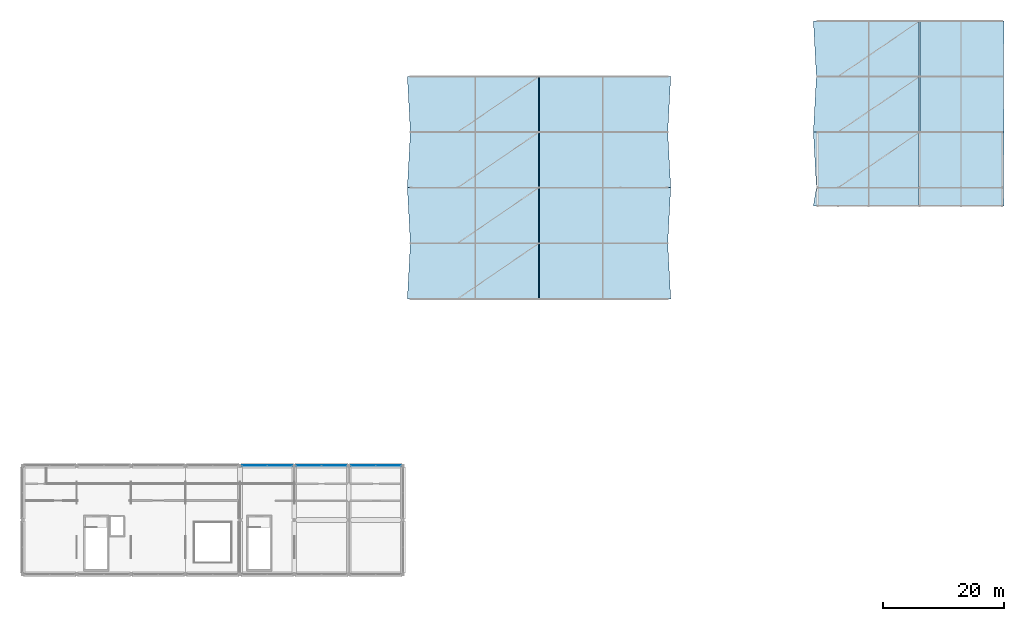
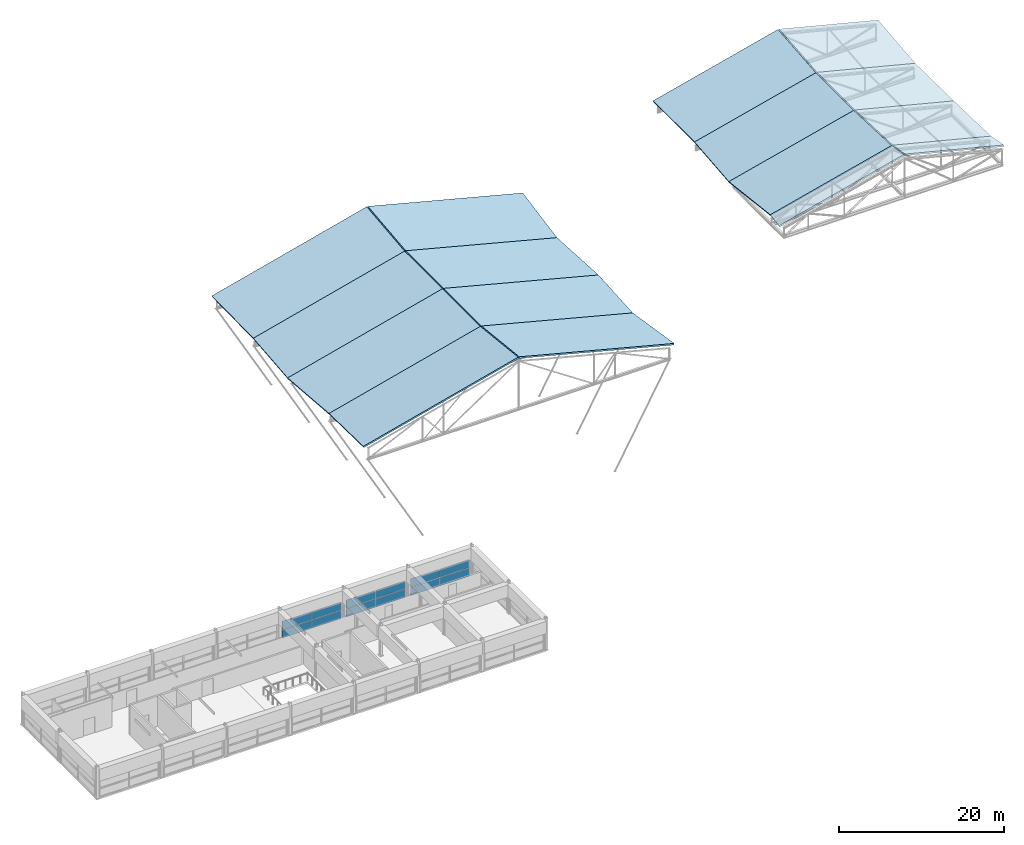
# One storey, part 46 of 56: 16 slabs, 12 plates, 3 elements without a shape of their own.
"""IFC4 building model written with IfcOpenShell, lengths in metres."""

import ifcopenshell
import ifcopenshell.guid

model = None  # the IFC model being written
_history = None  # IfcOwnerHistory: only IFC2X3 demands one
_inside = {}  # id of a spatial element -> (the spatial element, [elements in it])
_under = {}  # id of a project, library or spatial element -> (it, [spatial elements below it])
_declared = {}  # id of a project -> (the project, [libraries it declares])
_typed = {}  # id of a type object -> (the type object, [elements of that type])
_made_of = {}  # id of a material, layer set ... -> (it, [elements and type objects made of it])


def new_model(schema):
    """Start an empty IFC model of exactly this schema.

    Asked for "IFC4X3", IfcOpenShell would pick the latest addendum, in which some entities
    have other attributes; the version numbers below select the first issue.
    IFC2X3 requires an IfcOwnerHistory on every rooted entity: one is made here for all.
    """
    global model, _history
    if schema == "IFC4X3":
        model = ifcopenshell.file(schema_version=(4, 3, 0, 0))
    else:
        model = ifcopenshell.file(schema=schema)
    _inside.clear()
    _under.clear()
    _declared.clear()
    _typed.clear()
    _made_of.clear()
    _history = None
    if model.schema == "IFC2X3":
        org = make("IfcOrganization", Name="unknown")
        user = make(
            "IfcPersonAndOrganization",
            ThePerson=make("IfcPerson", FamilyName="unknown"),
            TheOrganization=org,
        )
        app = make(
            "IfcApplication",
            ApplicationDeveloper=org,
            Version="unknown",
            ApplicationFullName="unknown",
            ApplicationIdentifier="unknown",
        )
        _history = make(
            "IfcOwnerHistory",
            OwningUser=user,
            OwningApplication=app,
            ChangeAction="ADDED",
            CreationDate=0,
        )
    return model


def make(cls, **values):
    """One entity of the class cls with the attributes given. An attribute that is None is left unset."""
    return model.create_entity(
        cls, **{name: value for name, value in values.items() if value is not None}
    )


def rooted(cls, **values):
    """An entity with a GlobalId (a new one), such as an element, a storey or a relation."""
    return make(cls, GlobalId=ifcopenshell.guid.new(), OwnerHistory=_history, **values)


def si_unit(unit_type, name, prefix=None):
    """IfcSIUnit, for example si_unit("LENGTHUNIT", "METRE", prefix="MILLI")."""
    return make("IfcSIUnit", UnitType=unit_type, Prefix=prefix, Name=name)


def assignment(units):
    """IfcUnitAssignment: the units of a project."""
    return None if units is None else make("IfcUnitAssignment", Units=units)


def point(xyz):
    """IfcCartesianPoint."""
    return None if xyz is None else make("IfcCartesianPoint", Coordinates=xyz)


def direction(xyz):
    """IfcDirection."""
    return None if xyz is None else make("IfcDirection", DirectionRatios=xyz)


def frame(location, z_axis=None, x_axis=None):
    """IfcAxis2Placement3D, a coordinate frame: its origin and axes. An axis left out is left unset."""
    return make(
        "IfcAxis2Placement3D",
        Location=point(location),
        Axis=direction(z_axis),
        RefDirection=direction(x_axis),
    )


def frame_2d(location, x_axis=None):
    """IfcAxis2Placement2D, a coordinate frame in the plane: its origin and x axis."""
    return make(
        "IfcAxis2Placement2D", Location=point(location), RefDirection=direction(x_axis)
    )


def origin():
    """The frame at (0, 0, 0) with its axes left unset."""
    return frame((0.0, 0.0, 0.0))


def origin_2d():
    """The frame at (0, 0) in the plane with its x axis left unset."""
    return frame_2d((0.0, 0.0))


def place(relative_to, where):
    """IfcLocalPlacement: puts the frame where relative to a parent placement (None: the world)."""
    return make(
        "IfcLocalPlacement", PlacementRelTo=relative_to, RelativePlacement=where
    )


def context(
    kind, dimensions, precision=None, world=None, true_north=None, identifier=None
):
    """IfcGeometricRepresentationContext, for example the 3D "Model" context."""
    return make(
        "IfcGeometricRepresentationContext",
        ContextIdentifier=identifier,
        ContextType=kind,
        CoordinateSpaceDimension=dimensions,
        Precision=precision,
        WorldCoordinateSystem=world,
        TrueNorth=true_north,
    )


def subcontext(parent, identifier, kind, view, scale=None):
    """IfcGeometricRepresentationSubContext, for example "Body" below "Model"."""
    return make(
        "IfcGeometricRepresentationSubContext",
        ContextIdentifier=identifier,
        ContextType=kind,
        ParentContext=parent,
        TargetScale=scale,
        TargetView=view,
    )


def project(units=None, contexts=None):
    """IfcProject with its units and contexts."""
    return rooted(
        "IfcProject",
        Name="project",
        RepresentationContexts=contexts,
        UnitsInContext=assignment(units),
    )


def spatial(cls, under=None, at=None, **own):
    """A site, building, storey or space (cls), placed at a placement, below another one or the project."""
    s = rooted(cls, ObjectPlacement=at, **own)
    if under is not None:
        _under.setdefault(under.id(), (under, []))[1].append(s)
    return s


def polyline(points):
    """IfcPolyline through the points."""
    return make("IfcPolyline", Points=[point(p) for p in points])


def profile(cls, at=None, kind="AREA", **sizes):
    """A parametric profile (cls). Its sizes go by their IFC names, for example OverallWidth=200.0."""
    return make(cls, ProfileType=kind, Position=at, **sizes)


def rectangle(**sizes):
    """IfcRectangleProfileDef."""
    return profile("IfcRectangleProfileDef", **sizes)


def outline(outer, holes=None, kind="AREA"):
    """IfcArbitraryClosedProfileDef: a profile drawn as a closed curve; with holes, ...WithVoids."""
    if holes is None:
        return make("IfcArbitraryClosedProfileDef", ProfileType=kind, OuterCurve=outer)
    return make(
        "IfcArbitraryProfileDefWithVoids",
        ProfileType=kind,
        OuterCurve=outer,
        InnerCurves=holes,
    )


def extrude(swept, where, along, depth):
    """IfcExtrudedAreaSolid: the profile swept, set in the frame where, extruded along a direction by depth."""
    return make(
        "IfcExtrudedAreaSolid",
        SweptArea=swept,
        Position=where,
        ExtrudedDirection=direction(along),
        Depth=depth,
    )


def shape(context_of_items, identifier, shape_type, items):
    """IfcShapeRepresentation: the items that make up one representation, for example the "Body"."""
    return make(
        "IfcShapeRepresentation",
        ContextOfItems=context_of_items,
        RepresentationIdentifier=identifier,
        RepresentationType=shape_type,
        Items=items,
    )


def material(Name=None, Category=None):
    """IfcMaterial."""
    return make("IfcMaterial", Name=Name, Category=Category)


def layer(
    of_material, thickness, ventilated=None, Name=None, Category=None, Priority=None
):
    """IfcMaterialLayer: one layer of a wall or slab, of a material (None: an air gap)."""
    return make(
        "IfcMaterialLayer",
        Material=of_material,
        LayerThickness=thickness,
        IsVentilated=ventilated,
        Name=Name,
        Category=Category,
        Priority=Priority,
    )


def layer_set(layers, Name=None):
    """IfcMaterialLayerSet."""
    return make("IfcMaterialLayerSet", MaterialLayers=layers, LayerSetName=Name)


def made_of(thing, what):
    """Note that an element or type object is made of a material, layer set ...; save() writes the relation."""
    if what is not None:
        _made_of.setdefault(what.id(), (what, []))[1].append(thing)
    return thing


def type_object(cls, material=None, **own):
    """A type object (cls), such as IfcWallType, which elements share."""
    return made_of(rooted(cls, **own), material)


def element(
    cls,
    number,
    at=None,
    inside=None,
    cuts=None,
    type_object=None,
    material=None,
    context=None,
    identifier="Body",
    shape_type=None,
    held_by="IfcProductDefinitionShape",
    body=None,
    shapes=None,
    **own,
):
    """One element of the class cls, such as IfcWall. Its Tag is "e" and its number.

    at: its placement. inside: the storey or other place that contains it. cuts: it is an
    opening in that element (IfcRelVoidsElement). A single representation is given by context,
    identifier, shape_type and body (its items); several are given by shapes. held_by: the class
    of the entity that holds the representations. save() writes the other relations.
    """
    e = rooted(cls, Tag="e%d" % number, ObjectPlacement=at, **own)
    if body is not None:
        shapes = [shape(context, identifier, shape_type, body)]
    if shapes is not None:
        e.Representation = make(held_by, Representations=shapes)
    if inside is not None:
        _inside.setdefault(inside.id(), (inside, []))[1].append(e)
    if cuts is not None:
        rooted(
            "IfcRelVoidsElement", RelatingBuildingElement=cuts, RelatedOpeningElement=e
        )
    if type_object is not None:
        _typed.setdefault(type_object.id(), (type_object, []))[1].append(e)
    return made_of(e, material)


def aggregate(whole, parts):
    """IfcRelAggregates: a whole, such as a stair, and the parts it consists of."""
    return rooted("IfcRelAggregates", RelatingObject=whole, RelatedObjects=parts)


def save(model, path):
    """Write the relations noted so far, then the file.

    IfcRelAggregates (storeys below a building ...), IfcRelContainedInSpatialStructure (elements
    in a storey), IfcRelDefinesByType, IfcRelAssociatesMaterial and IfcRelDeclares: one each for
    every whole, place, type object, material and project.
    """
    for whole, parts in _under.values():
        aggregate(whole, parts)
    for where, things in _inside.values():
        rooted(
            "IfcRelContainedInSpatialStructure",
            RelatedElements=things,
            RelatingStructure=where,
        )
    for kind, things in _typed.values():
        rooted("IfcRelDefinesByType", RelatedObjects=things, RelatingType=kind)
    for what, things in _made_of.values():
        rooted("IfcRelAssociatesMaterial", RelatedObjects=things, RelatingMaterial=what)
    for by, libraries in _declared.values():
        rooted("IfcRelDeclares", RelatingContext=by, RelatedDefinitions=libraries)
    model.write(path)


model = new_model("IFC4")

# Units and contexts
model_context = context("Model", 3, precision=1e-05, world=origin(), true_north=direction((0.0, 1.0)))
body_context = subcontext(model_context, "Body", "Model", "MODEL_VIEW")
ifc_project = project(units=[si_unit("LENGTHUNIT", "METRE"), si_unit("AREAUNIT", "SQUARE_METRE"), si_unit("VOLUMEUNIT", "CUBIC_METRE"), si_unit("PLANEANGLEUNIT", "RADIAN"), si_unit("MASSUNIT", "GRAM", prefix="KILO")], contexts=[model_context])

# Site, building, storey
site_placement = place(None, origin())
site = spatial("IfcSite", under=ifc_project, at=site_placement, CompositionType="ELEMENT")
building_placement = place(site_placement, origin())
building = spatial("IfcBuilding", under=site, at=building_placement, Name="Bozkorgan Art Gallery", CompositionType="ELEMENT")
storey_placement = place(building_placement, frame((0.0, 0.0, 24.0)))
storey = spatial("IfcBuildingStorey", under=building, at=storey_placement, Name="L05", CompositionType="ELEMENT", Elevation=24.0)

# Curtain wall, plates
ifc_material_1 = material(Name="Anodised Bronze Aluminium", Category="aluminium")
curtain_wall_type = type_object("IfcCurtainWallType", Name="CW-CW-23", PredefinedType="NOTDEFINED", material=ifc_material_1)
curtain_wall_1_placement = place(storey_placement, origin())
curtain_wall_1 = element("IfcCurtainWall", 1, at=curtain_wall_1_placement, inside=storey, type_object=curtain_wall_type, Name="L05 unitised curtain wall CW-V1-L05-1N-10", PredefinedType="NOTDEFINED")
ifc_material_2 = material(Name="Triple Low-E Laminated Glass", Category="glass")
ifc_layer_1 = layer(ifc_material_2, 0.0439453125, Name="Triple Low-E Laminated Glass")
ifc_layer_set_1 = layer_set([ifc_layer_1], Name="Triple Low-E Laminated Glass")
plate_type = type_object("IfcPlateType", Name="CWP-GLZ", PredefinedType="CURTAIN_PANEL", material=ifc_layer_set_1)
plate_1_placement = place(storey_placement, frame((40.423828125, 20.0, 0.10009765625), z_axis=(0.0, 0.0, 1.0), x_axis=(1.0, 0.0, 0.0)))
plate_1 = element("IfcPlate", 2, at=plate_1_placement, type_object=plate_type, Name="CW-23 panel 1.1", PredefinedType="CURTAIN_PANEL", context=body_context, shape_type="SweptSolid", body=[
    extrude(rectangle(XDim=4.08740234375, YDim=0.0439453125, at=origin_2d()), origin(), (0.0, 0.0, 1.0), 1.202880859375),
])
plate_2_placement = place(storey_placement, frame((40.423828125, 20.0, 1.3828125), z_axis=(0.0, 0.0, 1.0), x_axis=(1.0, 0.0, 0.0)))
plate_2 = element("IfcPlate", 3, at=plate_2_placement, type_object=plate_type, Name="CW-23 panel 1.2", PredefinedType="CURTAIN_PANEL", context=body_context, shape_type="SweptSolid", body=[
    extrude(rectangle(XDim=4.08740234375, YDim=0.0439453125, at=origin_2d()), origin(), (0.0, 0.0, 1.0), 1.201904296875),
])
plate_3_placement = place(storey_placement, frame((44.576171875, 20.0, 0.10009765625), z_axis=(0.0, 0.0, 1.0), x_axis=(1.0, 0.0, 0.0)))
plate_3 = element("IfcPlate", 4, at=plate_3_placement, type_object=plate_type, Name="CW-23 panel 2.1", PredefinedType="CURTAIN_PANEL", context=body_context, shape_type="SweptSolid", body=[
    extrude(rectangle(XDim=4.08740234375, YDim=0.0439453125, at=origin_2d()), origin(), (0.0, 0.0, 1.0), 1.202880859375),
])
plate_4_placement = place(storey_placement, frame((44.576171875, 20.0, 1.3828125), z_axis=(0.0, 0.0, 1.0), x_axis=(1.0, 0.0, 0.0)))
plate_4 = element("IfcPlate", 5, at=plate_4_placement, type_object=plate_type, Name="CW-23 panel 2.2", PredefinedType="CURTAIN_PANEL", context=body_context, shape_type="SweptSolid", body=[
    extrude(rectangle(XDim=4.08740234375, YDim=0.0439453125, at=origin_2d()), origin(), (0.0, 0.0, 1.0), 1.201904296875),
])
aggregate(curtain_wall_1, [plate_1, plate_2, plate_3, plate_4])

curtain_wall_2_placement = place(storey_placement, origin())
curtain_wall_2 = element("IfcCurtainWall", 6, at=curtain_wall_2_placement, inside=storey, type_object=curtain_wall_type, Name="L05 unitised curtain wall CW-V1-L05-1N-12", PredefinedType="NOTDEFINED")
plate_5_placement = place(storey_placement, frame((49.423828125, 20.0, 0.10009765625), z_axis=(0.0, 0.0, 1.0), x_axis=(1.0, 0.0, 0.0)))
plate_5 = element("IfcPlate", 7, at=plate_5_placement, type_object=plate_type, Name="CW-23 panel 1.1", PredefinedType="CURTAIN_PANEL", context=body_context, shape_type="SweptSolid", body=[
    extrude(rectangle(XDim=4.08740234375, YDim=0.0439453125, at=origin_2d()), origin(), (0.0, 0.0, 1.0), 1.202880859375),
])
plate_6_placement = place(storey_placement, frame((49.423828125, 20.0, 1.3828125), z_axis=(0.0, 0.0, 1.0), x_axis=(1.0, 0.0, 0.0)))
plate_6 = element("IfcPlate", 8, at=plate_6_placement, type_object=plate_type, Name="CW-23 panel 1.2", PredefinedType="CURTAIN_PANEL", context=body_context, shape_type="SweptSolid", body=[
    extrude(rectangle(XDim=4.08740234375, YDim=0.0439453125, at=origin_2d()), origin(), (0.0, 0.0, 1.0), 1.201904296875),
])
plate_7_placement = place(storey_placement, frame((53.576171875, 20.0, 0.10009765625), z_axis=(0.0, 0.0, 1.0), x_axis=(1.0, 0.0, 0.0)))
plate_7 = element("IfcPlate", 9, at=plate_7_placement, type_object=plate_type, Name="CW-23 panel 2.1", PredefinedType="CURTAIN_PANEL", context=body_context, shape_type="SweptSolid", body=[
    extrude(rectangle(XDim=4.08740234375, YDim=0.0439453125, at=origin_2d()), origin(), (0.0, 0.0, 1.0), 1.202880859375),
])
plate_8_placement = place(storey_placement, frame((53.576171875, 20.0, 1.3828125), z_axis=(0.0, 0.0, 1.0), x_axis=(1.0, 0.0, 0.0)))
plate_8 = element("IfcPlate", 10, at=plate_8_placement, type_object=plate_type, Name="CW-23 panel 2.2", PredefinedType="CURTAIN_PANEL", context=body_context, shape_type="SweptSolid", body=[
    extrude(rectangle(XDim=4.08740234375, YDim=0.0439453125, at=origin_2d()), origin(), (0.0, 0.0, 1.0), 1.201904296875),
])
aggregate(curtain_wall_2, [plate_5, plate_6, plate_7, plate_8])

curtain_wall_3_placement = place(storey_placement, origin())
curtain_wall_3 = element("IfcCurtainWall", 11, at=curtain_wall_3_placement, inside=storey, type_object=curtain_wall_type, Name="L05 unitised curtain wall CW-V1-L05-1N-14", PredefinedType="NOTDEFINED")
plate_9_placement = place(storey_placement, frame((58.423828125, 20.0, 0.10009765625), z_axis=(0.0, 0.0, 1.0), x_axis=(1.0, 0.0, 0.0)))
plate_9 = element("IfcPlate", 12, at=plate_9_placement, type_object=plate_type, Name="CW-23 panel 1.1", PredefinedType="CURTAIN_PANEL", context=body_context, shape_type="SweptSolid", body=[
    extrude(rectangle(XDim=4.08740234375, YDim=0.0439453125, at=origin_2d()), origin(), (0.0, 0.0, 1.0), 1.202880859375),
])
plate_10_placement = place(storey_placement, frame((58.423828125, 20.0, 1.3828125), z_axis=(0.0, 0.0, 1.0), x_axis=(1.0, 0.0, 0.0)))
plate_10 = element("IfcPlate", 13, at=plate_10_placement, type_object=plate_type, Name="CW-23 panel 1.2", PredefinedType="CURTAIN_PANEL", context=body_context, shape_type="SweptSolid", body=[
    extrude(rectangle(XDim=4.08740234375, YDim=0.0439453125, at=origin_2d()), origin(), (0.0, 0.0, 1.0), 1.201904296875),
])
plate_11_placement = place(storey_placement, frame((62.576171875, 20.0, 0.10009765625), z_axis=(0.0, 0.0, 1.0), x_axis=(1.0, 0.0, 0.0)))
plate_11 = element("IfcPlate", 14, at=plate_11_placement, type_object=plate_type, Name="CW-23 panel 2.1", PredefinedType="CURTAIN_PANEL", context=body_context, shape_type="SweptSolid", body=[
    extrude(rectangle(XDim=4.08740234375, YDim=0.0439453125, at=origin_2d()), origin(), (0.0, 0.0, 1.0), 1.202880859375),
])
plate_12_placement = place(storey_placement, frame((62.576171875, 20.0, 1.3828125), z_axis=(0.0, 0.0, 1.0), x_axis=(1.0, 0.0, 0.0)))
plate_12 = element("IfcPlate", 15, at=plate_12_placement, type_object=plate_type, Name="CW-23 panel 2.2", PredefinedType="CURTAIN_PANEL", context=body_context, shape_type="SweptSolid", body=[
    extrude(rectangle(XDim=4.08740234375, YDim=0.0439453125, at=origin_2d()), origin(), (0.0, 0.0, 1.0), 1.201904296875),
])
aggregate(curtain_wall_3, [plate_9, plate_10, plate_11, plate_12])

# Slabs
ifc_material_3 = material(Name="Concrete C35/45", Category="concrete")
ifc_layer_2 = layer(ifc_material_3, 0.219970703125, Name="Concrete C35/45")
ifc_layer_set_2 = layer_set([ifc_layer_2], Name="Concrete C35/45")
slab_type = type_object("IfcSlabType", Name="SLAB-RF-44", PredefinedType="ROOF", material=ifc_layer_set_2)
slab_1_placement = place(storey_placement, frame((65.699951171875, 47.60009765625, 2.228271484375), z_axis=(-0.248983522928, 0.105434967128, 0.962751615432), x_axis=(0.96814787267, -1.95113e-07, 0.250379105846)))
element("IfcSlab", 16, at=slab_1_placement, inside=storey, type_object=slab_type, Name="ROOF-V4-MAIN swept-eave pitched roof slab 1W", PredefinedType="ROOF", context=body_context, shape_type="SweptSolid", body=[
    extrude(outline(polyline([(0.0, 0.0), (22.434569814307583, 0.0), (22.18229395438253, 9.251521629033425), (0.26419576344575146, 9.251512926767255), (0.0, 0.0)])), origin(), (0.0, 0.0, -1.0), 0.219970703125),
])
slab_2_placement = place(storey_placement, frame((87.580078125, 47.60009765625, 7.845458984375), z_axis=(0.248983522928, 0.105434967128, 0.962751615432), x_axis=(0.96814787267, 1.95113e-07, -0.250379105846)))
element("IfcSlab", 17, at=slab_2_placement, inside=storey, type_object=slab_type, Name="ROOF-V4-MAIN swept-eave pitched roof slab 1E", PredefinedType="ROOF", context=body_context, shape_type="SweptSolid", body=[
    extrude(outline(polyline([(0.0, 0.0), (22.434569814307583, 0.0), (22.17037405086183, 9.251512926767255), (0.2522758599250564, 9.251521629033425), (0.0, 0.0)])), origin(), (0.0, 0.0, -1.0), 0.219970703125),
])
slab_3_placement = place(storey_placement, frame((66.199951171875, 56.800048828125, 1.35009765625), z_axis=(-0.250379085816, 4.537955e-06, 0.96814787784), x_axis=(0.96814787785, 9e-12, 0.250379085818)))
element("IfcSlab", 18, at=slab_3_placement, inside=storey, type_object=slab_type, Name="ROOF-V4-MAIN swept-eave pitched roof slab 2W", PredefinedType="ROOF", context=body_context, shape_type="SweptSolid", body=[
    extrude(outline(polyline([(0.0, 0.0), (21.918098190938064, 3.3881317890172014e-21), (21.918098191017588, 9.199951171780274), (-0.5164716232895683, 9.199951172163649), (0.0, 0.0)])), origin(), (0.0, 0.0, -1.0), 0.219970703125),
])
slab_4_placement = place(storey_placement, frame((87.580078125, 56.800048828125, 6.837890625), z_axis=(0.250379085816, 4.537955e-06, 0.96814787784), x_axis=(0.96814787785, -9e-12, -0.250379085818)))
element("IfcSlab", 19, at=slab_4_placement, inside=storey, type_object=slab_type, Name="ROOF-V4-MAIN swept-eave pitched roof slab 2E", PredefinedType="ROOF", context=body_context, shape_type="SweptSolid", body=[
    extrude(outline(polyline([(0.0, 0.0), (21.918098190938064, -3.3881317890172014e-21), (22.43456981422763, 9.199951172163649), (-7.95222238092104e-11, 9.199951171780274), (0.0, 0.0)])), origin(), (0.0, 0.0, -1.0), 0.219970703125),
])
slab_5_placement = place(storey_placement, frame((65.699951171875, 66.0, 1.220703125), z_axis=(-0.250379085816, -4.537955e-06, 0.96814787784), x_axis=(0.96814787785, 8e-12, 0.250379085818)))
element("IfcSlab", 20, at=slab_5_placement, inside=storey, type_object=slab_type, Name="ROOF-V4-MAIN swept-eave pitched roof slab 3W", PredefinedType="ROOF", context=body_context, shape_type="SweptSolid", body=[
    extrude(outline(polyline([(0.0, 0.0), (22.434569814307153, 0.0), (22.434569814384844, 9.199951171780272), (0.516471623446782, 9.19995117215482), (0.0, 0.0)])), origin(), (0.0, 0.0, -1.0), 0.219970703125),
])
slab_6_placement = place(storey_placement, frame((87.580078125, 66.0, 6.837890625), z_axis=(0.250379085816, -4.537955e-06, 0.96814787784), x_axis=(0.96814787785, -8e-12, -0.250379085818)))
element("IfcSlab", 21, at=slab_6_placement, inside=storey, type_object=slab_type, Name="ROOF-V4-MAIN swept-eave pitched roof slab 3E", PredefinedType="ROOF", context=body_context, shape_type="SweptSolid", body=[
    extrude(outline(polyline([(0.0, 0.0), (22.434569814307153, 0.0), (21.91809819086037, 9.19995117215482), (-7.769152358462247e-11, 9.199951171780272), (0.0, 0.0)])), origin(), (0.0, 0.0, -1.0), 0.219970703125),
])
slab_7_placement = place(storey_placement, frame((66.199951171875, 75.199951171875, 1.35009765625), z_axis=(-0.248983522928, -0.105434967128, 0.962751615432), x_axis=(0.968147883151, -1.9971e-07, 0.250379065318)))
element("IfcSlab", 22, at=slab_7_placement, inside=storey, type_object=slab_type, Name="ROOF-V4-MAIN swept-eave pitched roof slab 4W", PredefinedType="ROOF", context=body_context, shape_type="SweptSolid", body=[
    extrude(outline(polyline([(0.0, 0.0), (21.9180981909385, -1.1102230246251565e-16), (22.170370377679717, 9.251521729195202), (-0.2641994366260981, 9.25151282187139), (0.0, 0.0)])), origin(), (0.0, 0.0, -1.0), 0.219970703125),
])
slab_8_placement = place(storey_placement, frame((87.580078125, 75.199951171875, 6.837890625), z_axis=(0.248983522928, -0.105434967128, 0.962751615432), x_axis=(0.968147883151, 1.9971e-07, -0.250379065318)))
element("IfcSlab", 23, at=slab_8_placement, inside=storey, type_object=slab_type, Name="ROOF-V4-MAIN swept-eave pitched roof slab 4E", PredefinedType="ROOF", context=body_context, shape_type="SweptSolid", body=[
    extrude(outline(polyline([(0.0, 0.0), (21.9180981909385, 1.1102230246251565e-16), (22.1822976275646, 9.25151282187139), (-0.2522721867412139, 9.251521729195204), (0.0, 0.0)])), origin(), (0.0, 0.0, -1.0), 0.219970703125),
])
slab_9_placement = place(storey_placement, frame((132.89990234375, 63.0, 2.088134765625), z_axis=(-0.242142397913, 0.159969174622, 0.956962341111), x_axis=(0.969446876553, 2.17335e-07, 0.245301352505)))
element("IfcSlab", 24, at=slab_9_placement, inside=storey, type_object=slab_type, Name="ROOF-V5-MAIN swept-eave pitched roof slab 1W", PredefinedType="ROOF", context=body_context, shape_type="SweptSolid", body=[
    extrude(outline(polyline([(0.0, 0.0), (18.07217497900681, 0.0), (17.949165626607694, 3.039134035895211), (0.39273608309379937, 3.0391418802736556), (0.0, 0.0)])), origin(), (0.0, 0.0, -1.0), 0.219970703125),
])
slab_10_placement = place(storey_placement, frame((150.580078125, 63.0, 6.521240234375), z_axis=(0.242145572538, 0.159979713629, 0.956959776024), x_axis=(0.969445972289, -6.42472e-07, -0.245304926188)))
element("IfcSlab", 25, at=slab_10_placement, inside=storey, type_object=slab_type, Name="ROOF-V5-MAIN swept-eave pitched roof slab 1E", PredefinedType="ROOF", context=body_context, shape_type="SweptSolid", body=[
    extrude(outline(polyline([(0.0, 0.0), (14.306995470133415, 0.0), (14.327034194163604, 3.039152571079375), (0.12300986906524382, 3.0391340145390977), (0.0, 0.0)])), origin(), (0.0, 0.0, -1.0), 0.219970703125),
])
slab_11_placement = place(storey_placement, frame((133.39990234375, 66.0, 1.713134765625), z_axis=(-0.24512211511, 0.038224455519, 0.968738375251), x_axis=(0.969446867406, -5.4115e-08, 0.245301388656)))
element("IfcSlab", 26, at=slab_11_placement, inside=storey, type_object=slab_type, Name="ROOF-V5-MAIN swept-eave pitched roof slab 2W", PredefinedType="ROOF", context=body_context, shape_type="SweptSolid", body=[
    extrude(outline(polyline([(0.0, 0.0), (17.556429543515222, 2.7755575615628914e-17), (17.467375538592183, 9.206680557685106), (-0.6047994404141097, 9.20667862821628), (0.0, 0.0)])), origin(), (0.0, 0.0, -1.0), 0.219970703125),
])
slab_12_placement = place(storey_placement, frame((150.580078125, 66.0, 6.019775390625), z_axis=(0.245125787192, 0.038220804049, 0.968737590161), x_axis=(0.969445945279, 1.56509e-07, -0.245305032933)))
element("IfcSlab", 27, at=slab_12_placement, inside=storey, type_object=slab_type, Name="ROOF-V5-MAIN swept-eave pitched roof slab 2E", PredefinedType="ROOF", context=body_context, shape_type="SweptSolid", body=[
    extrude(outline(polyline([(0.0, 0.0), (14.204024325107603, -5.551115123125783e-17), (14.396051740074396, 9.206676070137458), (0.08905626994453514, 9.206680535625646), (0.0, 0.0)])), origin(), (0.0, 0.0, -1.0), 0.219970703125),
])
slab_13_placement = place(storey_placement, frame((132.89990234375, 75.199951171875, 1.2236328125), z_axis=(-0.245301386648, 2.703637e-06, 0.96944686791), x_axis=(0.969446867914, 4e-12, 0.245301386649)))
element("IfcSlab", 28, at=slab_13_placement, inside=storey, type_object=slab_type, Name="ROOF-V5-MAIN swept-eave pitched roof slab 3W", PredefinedType="ROOF", context=body_context, shape_type="SweptSolid", body=[
    extrude(outline(polyline([(0.0, 0.0), (18.07217497900637, 0.0), (18.072174979040604, 9.199951171841377), (0.5157454355254099, 9.199951171973956), (0.0, 0.0)])), origin(), (0.0, 0.0, -1.0), 0.219970703125),
])
slab_14_placement = place(storey_placement, frame((150.580078125, 75.199951171875, 5.65673828125), z_axis=(0.245305027125, 6.326773e-06, 0.969445946728), x_axis=(0.969445946747, -2.6e-11, -0.24530502713)))
element("IfcSlab", 29, at=slab_14_placement, inside=storey, type_object=slab_type, Name="ROOF-V5-MAIN swept-eave pitched roof slab 3E", PredefinedType="ROOF", context=body_context, shape_type="SweptSolid", body=[
    extrude(outline(polyline([(0.0, 0.0), (14.306995470130385, 0.0), (14.204024324870625, 9.199951172424733), (-2.3680295823941214e-10, 9.199951171690872), (0.0, 0.0)])), origin(), (0.0, 0.0, -1.0), 0.219970703125),
])
slab_15_placement = place(storey_placement, frame((133.39990234375, 84.39990234375, 1.35009765625), z_axis=(-0.244365176317, -0.087582431047, 0.965719927502), x_axis=(0.969445248188, -4.55968e-07, 0.245307787819)))
element("IfcSlab", 30, at=slab_15_placement, inside=storey, type_object=slab_type, Name="ROOF-V5-MAIN swept-eave pitched roof slab 4W", PredefinedType="ROOF", context=body_context, shape_type="SweptSolid", body=[
    extrude(outline(polyline([(0.0, 0.0), (17.556429543294893, 5.551115123125783e-17), (17.76112798960197, 9.235693636100166), (-0.3111068784409641, 9.23567732790646), (0.0, 0.0)])), origin(), (0.0, 0.0, -1.0), 0.219970703125),
])
slab_16_placement = place(storey_placement, frame((150.580078125, 84.39990234375, 5.65673828125), z_axis=(0.244370332623, -0.08758575529, 0.965718321253), x_axis=(0.969443918255, 3.66754e-07, -0.245313043594)))
element("IfcSlab", 31, at=slab_16_placement, inside=storey, type_object=slab_type, Name="ROOF-V5-MAIN swept-eave pitched roof slab 4E", PredefinedType="ROOF", context=body_context, shape_type="SweptSolid", body=[
    extrude(outline(polyline([(0.0, 0.0), (14.20402432510216, 5.551115123125783e-17), (14.102351707143693, 9.235683024077927), (-0.20470365289505726, 9.235693520961476), (0.0, 0.0)])), origin(), (0.0, 0.0, -1.0), 0.219970703125),
])

save(model, "model.ifc")
